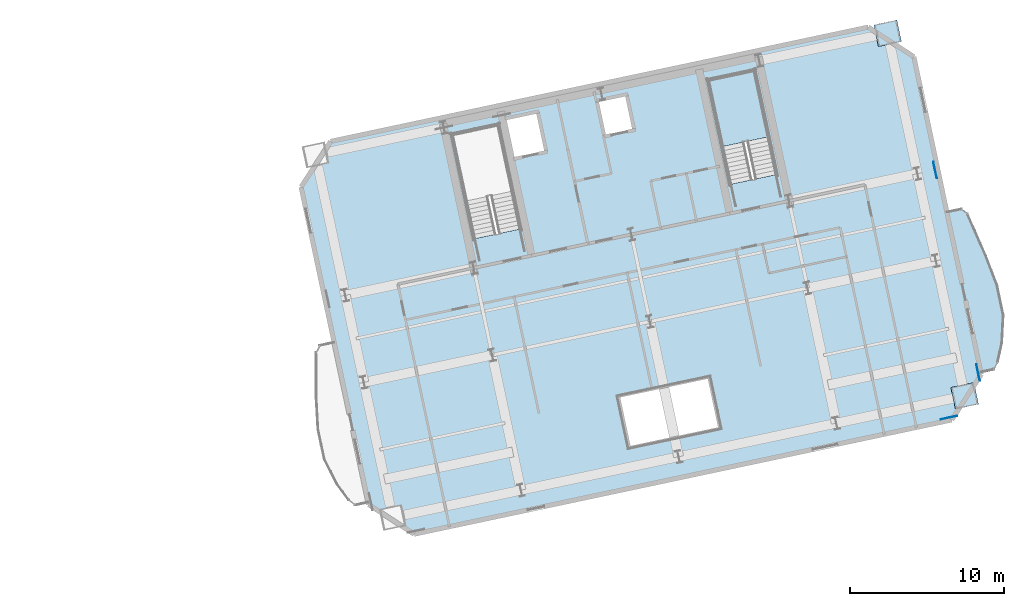
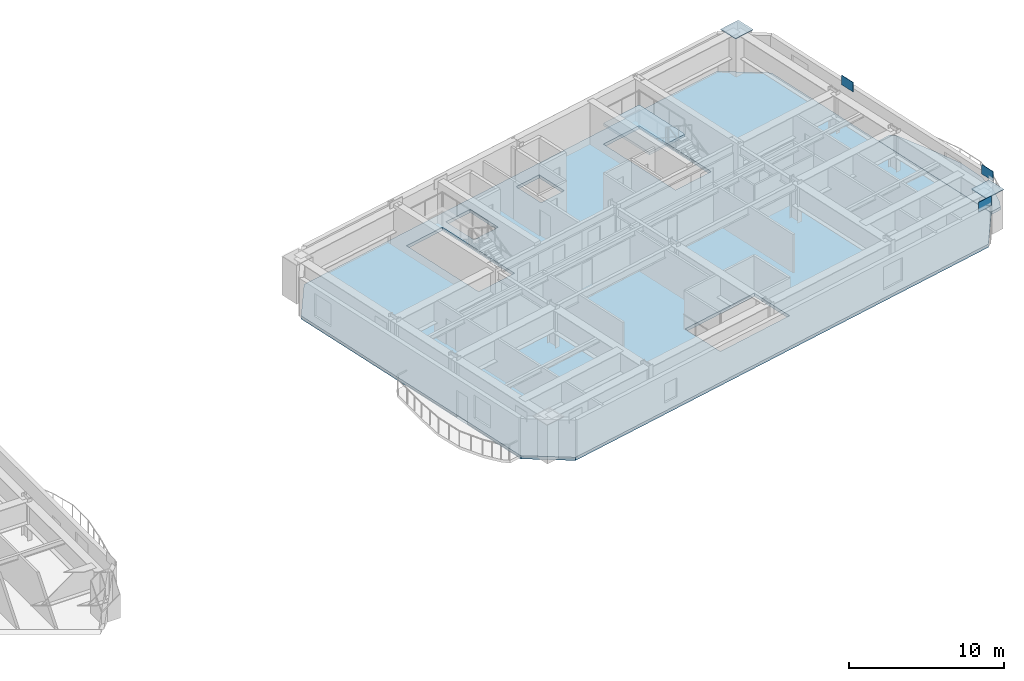
# One storey, part 6 of 15: 5 plates, 3 slabs, 1 element without a shape of its own.
"""IFC4 building model written with IfcOpenShell, lengths in metres."""

from ifc_helpers import new_model, si_unit, direction, frame, origin, origin_2d, place, context, subcontext, project, spatial, polyline, rectangle, outline, extrude, material, layer, layer_set, type_object, element, aggregate, save


model = new_model("IFC4")

# Units and contexts
model_context = context("Model", 3, precision=1e-05, world=origin(), true_north=direction((0.0, 1.0)))
body_context = subcontext(model_context, "Body", "Model", "MODEL_VIEW")
ifc_project = project(units=[si_unit("LENGTHUNIT", "METRE"), si_unit("AREAUNIT", "SQUARE_METRE"), si_unit("VOLUMEUNIT", "CUBIC_METRE"), si_unit("PLANEANGLEUNIT", "RADIAN"), si_unit("MASSUNIT", "GRAM", prefix="KILO")], contexts=[model_context])

# Site, building, storey
site_placement = place(None, origin())
site = spatial("IfcSite", under=ifc_project, at=site_placement, CompositionType="ELEMENT")
building_placement = place(site_placement, origin())
building = spatial("IfcBuilding", under=site, at=building_placement, Name="Haevon Station Towers", CompositionType="ELEMENT")
storey_placement = place(building_placement, frame((0.0, 0.0, 109.800048828125)))
storey = spatial("IfcBuildingStorey", under=building, at=storey_placement, Name="L29", CompositionType="ELEMENT", Elevation=109.800048828125)

# Plates
ifc_material_1 = material(Name="PL-FLG1", Category="steel")
ifc_layer_1 = layer(ifc_material_1, 0.044921875)
ifc_layer_set_1 = layer_set([ifc_layer_1], Name="PL-FLG1")
plate_type_1 = type_object("IfcPlateType", Name="PL-FLG1", PredefinedType="USERDEFINED", material=ifc_layer_set_1)
for number, where, z_axis, x_axis, name in (
    (1, (130.733642578125, 29.109619140625, 3.050048828125), (0.0, 0.0, 1.0), (0.978147600734, 0.207911690818, 0.0), "PL-CAP-T2-L29-05-01"),
    (2, (125.712646484375, 52.73193359375, 3.050048828125), (0.0, 0.0, 1.0), (0.978147600734, 0.207911690818, 0.0), "PL-CAP-T2-L29-05-04"),
):
    element("IfcPlate", number, at=place(storey_placement, frame(where, z_axis=z_axis, x_axis=x_axis)), inside=storey, type_object=plate_type_1, Name=name, ObjectType="FLANGE_PLATE", PredefinedType="USERDEFINED", context=body_context, shape_type="SweptSolid", body=[
        extrude(rectangle(XDim=1.5400390625, YDim=1.43994140625, at=origin_2d()), origin(), (0.0, 0.0, 1.0), 0.0400390625),
    ])
ifc_material_2 = material(Name="PL-SPL1", Category="steel")
ifc_layer_2 = layer(ifc_material_2, 0.031982421875)
ifc_layer_set_2 = layer_set([ifc_layer_2], Name="PL-SPL1")
plate_type_2 = type_object("IfcPlateType", Name="PL-SPL1", PredefinedType="USERDEFINED", material=ifc_layer_set_2)
for number, where, z_axis, x_axis, name in (
    (3, (129.705322265625, 27.69482421875, 2.77490234375), (0.0, 0.0, 1.0), (0.978147600734, 0.207911690818, 0.0), "PL-T2SPL-T03-S-4"),
    (4, (131.60791015625, 30.62451171875, 2.77490234375), (0.0, 0.0, 1.0), (-0.207911690818, 0.978147600734, 0.0), "PL-T2SPL-T03-E-3"),
    (5, (128.801025390625, 43.829345703125, 2.77490234375), (0.0, 0.0, 1.0), (-0.207911690818, 0.978147600734, 0.0), "PL-T2SPL-T03-E-4"),
):
    element("IfcPlate", number, at=place(storey_placement, frame(where, z_axis=z_axis, x_axis=x_axis)), inside=storey, type_object=plate_type_2, Name=name, ObjectType="SPLICE_PLATE", PredefinedType="USERDEFINED", context=body_context, shape_type="SweptSolid", body=[
        extrude(rectangle(XDim=1.10009765625, YDim=0.031982421875, at=origin_2d()), origin(), (0.0, 0.0, 1.0), 0.75),
    ])

# Slab
ifc_material_3 = material(Name="Concrete C40/50", Category="concrete")
ifc_layer_3 = layer(ifc_material_3, 0.219970703125)
ifc_layer_set_3 = layer_set([ifc_layer_3], Name="Concrete C40/50")
slab_type_1 = type_object("IfcSlabType", Name="SL-BALC220", PredefinedType="FLOOR", material=ifc_layer_set_3)
slab_1_placement = place(storey_placement, frame((0.0, 0.0, -0.219970703125)))
element("IfcSlab", 6, at=slab_1_placement, inside=storey, type_object=slab_type_1, Name="Tower 2 L29 East SCALLOPED BALCONY", PredefinedType="FLOOR", context=body_context, shape_type="SweptSolid", body=[
    extrude(outline(polyline([(131.804443359375, 30.589599609375), (132.6357421875, 30.766357421875), (132.890380859375, 31.24072265625), (133.1806640625, 32.4990234375), (133.2939453125, 34.314208984375), (132.911376953125, 36.345458984375), (132.124755859375, 38.291015625), (131.386962890625, 39.925048828125), (130.902099609375, 41.018798828125), (130.495361328125, 41.3525390625), (129.558837890625, 41.153564453125), (131.804443359375, 30.589599609375)])), origin(), (0.0, 0.0, 1.0), 0.219970703125),
])

# Stair, slab
stair_type = type_object("IfcStairType", Name="STR-DL1450", PredefinedType="USERDEFINED", material=ifc_material_3)
stair_placement = place(storey_placement, origin())
stair = element("IfcStair", 7, at=stair_placement, inside=storey, type_object=stair_type, Name="L29 Escape Stair ST4", ObjectType="TWO_RETURN_STAIR", PredefinedType="USERDEFINED")
ifc_layer_4 = layer(ifc_material_3, 0.199951171875)
ifc_layer_set_4 = layer_set([ifc_layer_4], Name="Concrete C40/50")
slab_type_2 = type_object("IfcSlabType", Name="SL-LND200", PredefinedType="LANDING", material=ifc_layer_set_4)
slab_2_placement = place(storey_placement, frame((0.0, 0.0, 1.449951171875)))
slab_2 = element("IfcSlab", 8, at=slab_2_placement, type_object=slab_type_2, Name="L29 ST4 Half Landing 1", PredefinedType="LANDING", context=body_context, shape_type="SweptSolid", body=[
    extrude(outline(polyline([(117.975341796875, 45.989990234375), (117.052978515625, 50.328857421875), (114.020751953125, 49.684326171875), (114.943115234375, 45.345458984375), (117.975341796875, 45.989990234375)])), origin(), (0.0, 0.0, 1.0), 0.199951171875),
])
aggregate(stair, [slab_2])

# Slab
ifc_layer_5 = layer(ifc_material_3, 0.25)
ifc_layer_set_5 = layer_set([ifc_layer_5], Name="Concrete C40/50")
slab_type_3 = type_object("IfcSlabType", Name="SL-TW250", PredefinedType="FLOOR", material=ifc_layer_set_5)
slab_3_placement = place(storey_placement, frame((0.0, 0.0, -0.25)))
element("IfcSlab", 9, at=slab_3_placement, inside=storey, type_object=slab_type_3, Name="SL-T2-L29", PredefinedType="FLOOR", context=body_context, shape_type="SweptSolid", body=[
    extrude(outline(polyline([(94.871826171875, 20.106689453125), (129.889404296875, 27.550048828125), (131.815185546875, 30.51513671875), (127.417724609375, 51.202880859375), (124.45263671875, 53.128662109375), (89.43505859375, 45.685302734375), (87.50927734375, 42.72021484375), (91.90673828125, 22.032470703125), (94.871826171875, 20.106689453125)]), holes=[polyline([(101.8095703125, 39.98974609375), (100.36572265625, 46.781982421875), (97.33349609375, 46.137451171875), (98.77734375, 39.34521484375), (101.8095703125, 39.98974609375)]), polyline([(118.496826171875, 43.53662109375), (117.052978515625, 50.328857421875), (114.020751953125, 49.684326171875), (115.464599609375, 42.89208984375), (118.496826171875, 43.53662109375)]), polyline([(101.43212890625, 44.554931640625), (103.486328125, 44.99169921875), (102.9248046875, 47.632568359375), (100.870849609375, 47.196044921875), (101.43212890625, 44.554931640625)]), polyline([(107.259521484375, 45.998046875), (109.2158203125, 46.413818359375), (108.716796875, 48.761474609375), (106.760498046875, 48.345703125), (107.259521484375, 45.998046875)]), polyline([(108.90576171875, 25.747802734375), (114.774658203125, 26.995361328125), (114.067626953125, 30.321044921875), (108.19873046875, 29.073486328125), (108.90576171875, 25.747802734375)])]), origin(), (0.0, 0.0, 1.0), 0.25),
])

save(model, "model.ifc")
